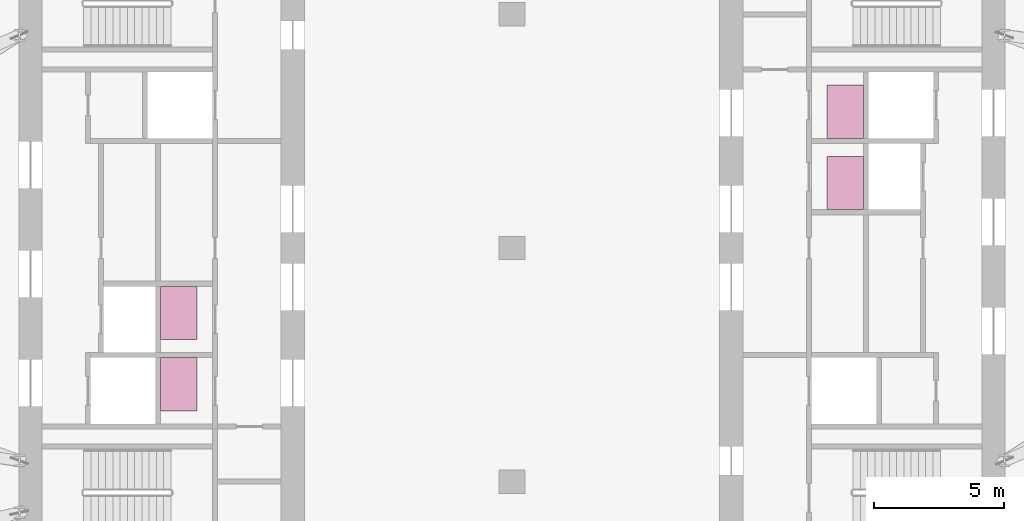
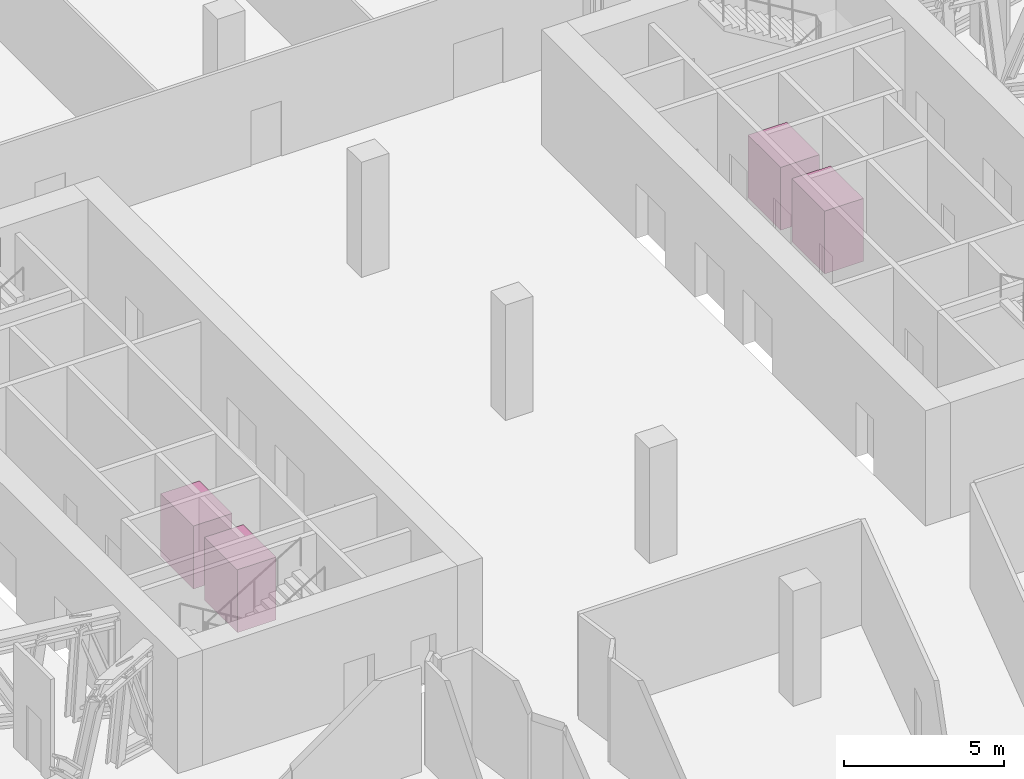
# One storey, part 27 of 27: 4 transport elements.
"""IFC4 building model written with IfcOpenShell, lengths in metres."""

from ifc_helpers import new_model, si_unit, direction, frame, origin, origin_2d, place, context, subcontext, project, spatial, rectangle, extrude, material, type_object, element, save


model = new_model("IFC4")

# Units and contexts
model_context = context("Model", 3, precision=1e-05, world=origin(), true_north=direction((0.0, 1.0)))
body_context = subcontext(model_context, "Body", "Model", "MODEL_VIEW")
ifc_project = project(units=[si_unit("LENGTHUNIT", "METRE"), si_unit("AREAUNIT", "SQUARE_METRE"), si_unit("VOLUMEUNIT", "CUBIC_METRE"), si_unit("PLANEANGLEUNIT", "RADIAN"), si_unit("MASSUNIT", "GRAM", prefix="KILO")], contexts=[model_context])

# Site, building, storey
site_placement = place(None, origin())
site = spatial("IfcSite", under=ifc_project, at=site_placement, CompositionType="ELEMENT")
building_placement = place(site_placement, origin())
building = spatial("IfcBuilding", under=site, at=building_placement, Name="Orlundy Tower", CompositionType="ELEMENT")
storey_placement = place(building_placement, frame((0.0, 0.0, 206.10009765625)))
storey = spatial("IfcBuildingStorey", under=building, at=storey_placement, Name="L54", CompositionType="ELEMENT", Elevation=206.10009765625)

# Transport elements
ifc_material = material(Name="Passenger Lift 1200 kg")
transport_element_type = type_object("IfcTransportElementType", Name="Passenger Lift 1200 kg", PredefinedType="ELEVATOR", material=ifc_material)
for number, where, z_axis, x_axis, name in (
    (1, (-12.840087890625, -5.25, 0.0), (0.0, 0.0, 1.0), (1.0, 0.0, 0.0), "Lift LP-22"),
    (2, (-12.840087890625, -2.5, 0.0), (0.0, 0.0, 1.0), (1.0, 0.0, 0.0), "Lift LP-21"),
    (3, (12.840087890625, 5.25, 0.0), (0.0, 0.0, 1.0), (1.0, 0.0, 0.0), "Lift LP-24"),
    (4, (12.840087890625, 2.5, 0.0), (0.0, 0.0, 1.0), (1.0, 0.0, 0.0), "Lift LP-23"),
):
    element("IfcTransportElement", number, at=place(storey_placement, frame(where, z_axis=z_axis, x_axis=x_axis)), inside=storey, type_object=transport_element_type, Name=name, PredefinedType="ELEVATOR", context=body_context, shape_type="SweptSolid", body=[
        extrude(rectangle(XDim=1.39990234375, YDim=2.050048828125, at=origin_2d()), origin(), (0.0, 0.0, 1.0), 2.39990234375),
    ])

save(model, "model.ifc")
